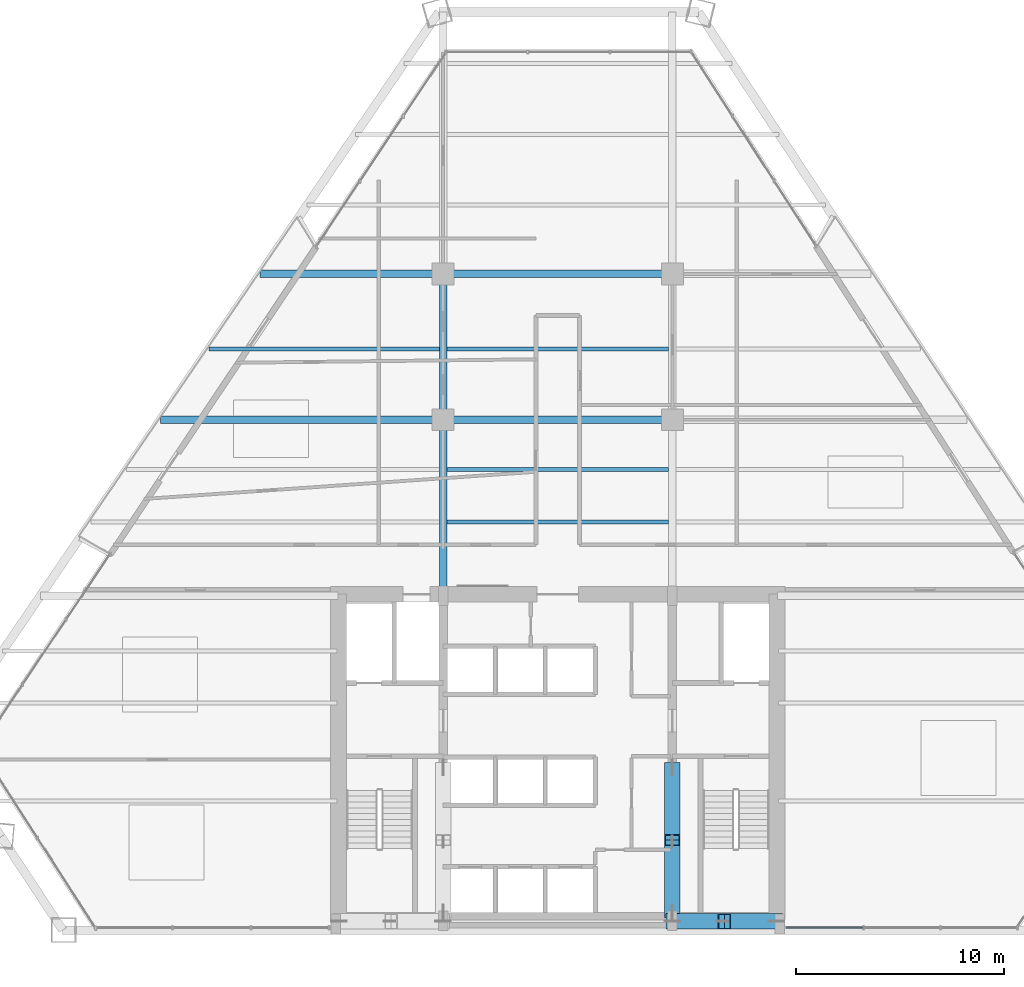
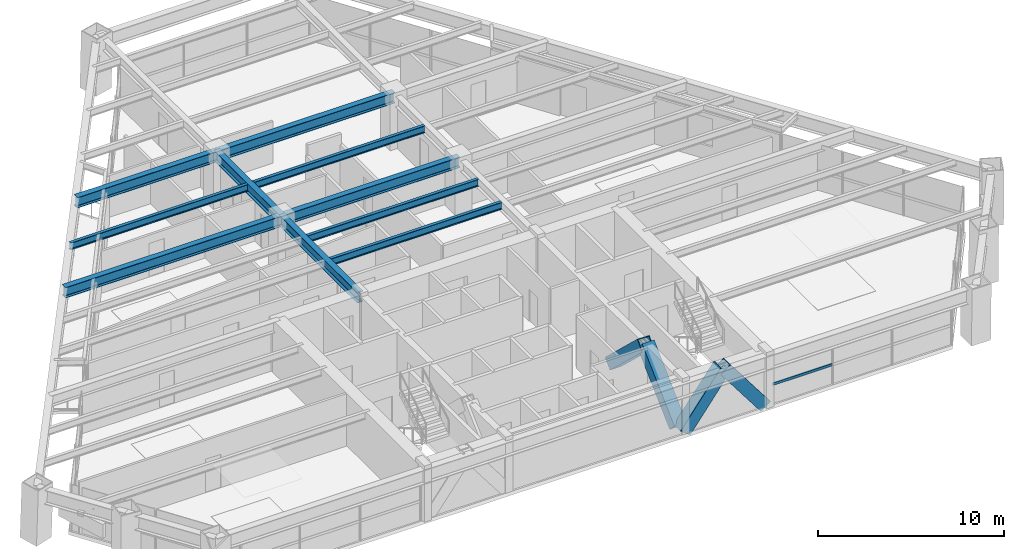
# One storey, part 5 of 14: 10 beams, 5 members, 1 element without a shape of its own.
"""IFC4 building model written with IfcOpenShell, lengths in metres."""

from ifc_helpers import new_model, si_unit, direction, frame, origin, origin_2d, place, context, subcontext, project, spatial, rectangle, hollow_rectangle, i_section, extrude, source, transform, mapped, material, material_profile, profile_set, type_object, type_shapes, element, aggregate, save


model = new_model("IFC4")

# Units and contexts
model_context = context("Model", 3, precision=1e-05, world=origin(), true_north=direction((0.0, 1.0)))
body_context = subcontext(model_context, "Body", "Model", "MODEL_VIEW")
ifc_project = project(units=[si_unit("LENGTHUNIT", "METRE"), si_unit("AREAUNIT", "SQUARE_METRE"), si_unit("VOLUMEUNIT", "CUBIC_METRE"), si_unit("PLANEANGLEUNIT", "RADIAN"), si_unit("MASSUNIT", "GRAM", prefix="KILO")], contexts=[model_context])

# Site, building, storey
site_placement = place(None, origin())
site = spatial("IfcSite", under=ifc_project, at=site_placement, CompositionType="ELEMENT")
building_placement = place(site_placement, origin())
building = spatial("IfcBuilding", under=site, at=building_placement, Name="Varnakhor Terracotta Tower", CompositionType="ELEMENT")
storey_placement = place(building_placement, frame((0.0, 0.0, 102.5)))
storey = spatial("IfcBuildingStorey", under=building, at=storey_placement, Name="L25", CompositionType="ELEMENT", Elevation=102.5)

# Beams
ifc_material_1 = material(Name="Steel S355", Category="steel")
ifc_material_profile_1 = material_profile(ifc_material_1, i_section(OverallWidth=0.35498046875, OverallDepth=0.695068359375, WebThickness=0.014892578125, FlangeThickness=0.02490234375, FilletRadius=0.01806640625, at=origin_2d()), Name="W27X146")
ifc_profile_set_1 = profile_set([ifc_material_profile_1], Name="Steel S355")
beam_type_1 = type_object("IfcBeamType", Name="BM-W27X146", PredefinedType="BEAM", material=ifc_profile_set_1)
shared_shape_1 = source(origin(), body_context, "Body", "SweptSolid", [
    extrude(i_section(OverallWidth=0.35498046875, OverallDepth=0.695068359375, WebThickness=0.014892578125, FlangeThickness=0.02490234375, FilletRadius=0.01806640625, at=origin_2d()), origin(), (0.0, 0.0, 1.0), 8.449951171875),
])
type_shapes(beam_type_1, [shared_shape_1])
beam_1_placement = place(storey_placement, frame((-5.5, 16.050048828125, 3.1025390625), z_axis=(0.0, 1.0, 0.0), x_axis=(-1.0, 0.0, 0.0)))
element("IfcBeam", 1, at=beam_1_placement, inside=storey, type_object=beam_type_1, Name="L25 Primary Girder NS1-W", PredefinedType="BEAM", context=body_context, shape_type="MappedRepresentation", body=[
    mapped(shared_shape_1, transform((0.0, 0.0, 0.0), scale=1.0)),
])
shared_shape_2 = source(origin(), body_context, "Body", "SweptSolid", [
    extrude(i_section(OverallWidth=0.35498046875, OverallDepth=0.695068359375, WebThickness=0.014892578125, FlangeThickness=0.02490234375, FilletRadius=0.01806640625, at=origin_2d()), origin(), (0.0, 0.0, 1.0), 7.0),
])
beam_2_placement = place(storey_placement, frame((-5.5, 24.5, 3.1025390625), z_axis=(0.0, 1.0, 0.0), x_axis=(-1.0, 0.0, 0.0)))
element("IfcBeam", 2, at=beam_2_placement, inside=storey, type_object=beam_type_1, Name="L25 Primary Girder NS2-W", PredefinedType="BEAM", context=body_context, shape_type="MappedRepresentation", body=[
    mapped(shared_shape_2, transform((0.0, 0.0, 0.0), scale=1.0)),
])
shared_shape_3 = source(origin(), body_context, "Body", "SweptSolid", [
    extrude(i_section(OverallWidth=0.35498046875, OverallDepth=0.695068359375, WebThickness=0.014892578125, FlangeThickness=0.02490234375, FilletRadius=0.01806640625, at=origin_2d()), origin(), (0.0, 0.0, 1.0), 11.0),
])
for number, where, z_axis, x_axis, name in (
    (3, (-5.5, 24.5, 3.1025390625), (1.0, 0.0, 0.0), (0.0, 1.0, 0.0), "L25 Primary Girder EW2-2"),
    (4, (-5.5, 31.5, 3.1025390625), (1.0, 0.0, 0.0), (0.0, 1.0, 0.0), "L25 Primary Girder EW3-2"),
):
    element("IfcBeam", number, at=place(storey_placement, frame(where, z_axis=z_axis, x_axis=x_axis)), inside=storey, type_object=beam_type_1, Name=name, PredefinedType="BEAM", context=body_context, shape_type="MappedRepresentation", body=[
        mapped(shared_shape_3, transform((0.0, 0.0, 0.0), scale=1.0)),
    ])
ifc_material_profile_2 = material_profile(ifc_material_1, i_section(OverallWidth=0.19189453125, OverallDepth=0.462890625, WebThickness=0.010498046875, FlangeThickness=0.017578125, FilletRadius=0.01806640625, at=origin_2d()), Name="W18X60")
ifc_profile_set_2 = profile_set([ifc_material_profile_2], Name="Steel S355")
beam_type_2 = type_object("IfcBeamType", Name="JST-W18X60", PredefinedType="JOIST", material=ifc_profile_set_2)
shared_shape_4 = source(origin(), body_context, "Body", "SweptSolid", [
    extrude(i_section(OverallWidth=0.19189453125, OverallDepth=0.462890625, WebThickness=0.010498046875, FlangeThickness=0.017578125, FilletRadius=0.01806640625, at=origin_2d()), origin(), (0.0, 0.0, 1.0), 10.65283203125),
])
for number, where, z_axis, x_axis, name in (
    (5, (-5.326416015625, 19.60009765625, 3.218505859375), (1.0, 0.0, 0.0), (0.0, 1.0, 0.0), "L25 Composite Floor Joist 4-2"),
    (6, (-5.326416015625, 22.10009765625, 3.218505859375), (1.0, 0.0, 0.0), (0.0, 1.0, 0.0), "L25 Composite Floor Joist 5-2"),
    (7, (-5.326416015625, 27.89990234375, 3.218505859375), (1.0, 0.0, 0.0), (0.0, 1.0, 0.0), "L25 Composite Floor Joist 6-2"),
):
    element("IfcBeam", number, at=place(storey_placement, frame(where, z_axis=z_axis, x_axis=x_axis)), inside=storey, type_object=beam_type_2, Name=name, PredefinedType="JOIST", context=body_context, shape_type="MappedRepresentation", body=[
        mapped(shared_shape_4, transform((0.0, 0.0, 0.0), scale=1.0)),
    ])

# Members
ifc_material_2 = material(Name="Steel S460", Category="steel")
ifc_material_profile_3 = material_profile(ifc_material_2, hollow_rectangle(XDim=0.75, YDim=0.75, WallThickness=0.044921875, at=origin_2d()), Name="HSS750X750X45")
ifc_profile_set_3 = profile_set([ifc_material_profile_3], Name="Steel S460")
member_type_1 = type_object("IfcMemberType", Name="MBR-MEGA-750", PredefinedType="BRACE", material=ifc_profile_set_3)
shared_shape_5 = source(origin(), body_context, "Body", "SweptSolid", [
    extrude(hollow_rectangle(XDim=0.75, YDim=0.75, WallThickness=0.044921875, at=origin_2d()), origin(), (0.0, 0.0, 1.0), 4.14013671875),
])
type_shapes(member_type_1, [shared_shape_5])
for number, where, z_axis, x_axis, name in (
    (8, (5.5, 0.419921875, 0.0), (0.603852011179, 0.0, 0.797096448741), (0.0, 1.0, 0.0), "L25 Core Coupled Brace CSEA"),
    (9, (10.5, 0.419921875, 0.0), (-0.603852011179, 0.0, 0.797096448741), (0.0, -1.0, 0.0), "L25 Core Coupled Brace CSEB"),
):
    element("IfcMember", number, at=place(storey_placement, frame(where, z_axis=z_axis, x_axis=x_axis)), inside=storey, type_object=member_type_1, Name=name, PredefinedType="BRACE", context=body_context, shape_type="MappedRepresentation", body=[
        mapped(shared_shape_5, transform((0.0, 0.0, 0.0), scale=1.0)),
    ])
shared_shape_6 = source(origin(), body_context, "Body", "SweptSolid", [
    extrude(hollow_rectangle(XDim=0.75, YDim=0.75, WallThickness=0.044921875, at=origin_2d()), origin(), (0.0, 0.0, 1.0), 4.792236328125),
])
for number, where, z_axis, x_axis, name in (
    (10, (5.5, 0.85009765625, 0.0), (0.0, 0.725110085518, 0.688632967466), (-1.0, 0.0, 0.0), "L25 Core Coupled Brace CWEA"),
    (11, (5.5, 7.800048828125, 0.0), (0.0, -0.72513424341, 0.688607529028), (1.0, 0.0, 0.0), "L25 Core Coupled Brace CWEB"),
):
    element("IfcMember", number, at=place(storey_placement, frame(where, z_axis=z_axis, x_axis=x_axis)), inside=storey, type_object=member_type_1, Name=name, PredefinedType="BRACE", context=body_context, shape_type="MappedRepresentation", body=[
        mapped(shared_shape_6, transform((0.0, 0.0, 0.0), scale=1.0)),
    ])

# Beams
shared_shape_7 = source(origin(), body_context, "Body", "SweptSolid", [
    extrude(i_section(OverallWidth=0.35498046875, OverallDepth=0.695068359375, WebThickness=0.014892578125, FlangeThickness=0.02490234375, FilletRadius=0.01806640625, at=origin_2d()), origin(), (0.0, 0.0, 1.0), 13.563720703125),
])
beam_3_placement = place(storey_placement, frame((-19.063720703125, 24.5, 3.1025390625), z_axis=(1.0, 0.0, 0.0), x_axis=(0.0, 1.0, 0.0)))
element("IfcBeam", 12, at=beam_3_placement, inside=storey, type_object=beam_type_1, Name="L25 Primary Girder EW2-1", PredefinedType="BEAM", context=body_context, shape_type="MappedRepresentation", body=[
    mapped(shared_shape_7, transform((0.0, 0.0, 0.0), scale=1.0)),
])
shared_shape_8 = source(origin(), body_context, "Body", "SweptSolid", [
    extrude(i_section(OverallWidth=0.35498046875, OverallDepth=0.695068359375, WebThickness=0.014892578125, FlangeThickness=0.02490234375, FilletRadius=0.01806640625, at=origin_2d()), origin(), (0.0, 0.0, 1.0), 8.784912109375),
])
beam_4_placement = place(storey_placement, frame((-14.284912109375, 31.5, 3.1025390625), z_axis=(1.0, 0.0, 0.0), x_axis=(0.0, 1.0, 0.0)))
element("IfcBeam", 13, at=beam_4_placement, inside=storey, type_object=beam_type_1, Name="L25 Primary Girder EW3-1", PredefinedType="BEAM", context=body_context, shape_type="MappedRepresentation", body=[
    mapped(shared_shape_8, transform((0.0, 0.0, 0.0), scale=1.0)),
])
shared_shape_9 = source(origin(), body_context, "Body", "SweptSolid", [
    extrude(i_section(OverallWidth=0.19189453125, OverallDepth=0.462890625, WebThickness=0.010498046875, FlangeThickness=0.017578125, FilletRadius=0.01806640625, at=origin_2d()), origin(), (0.0, 0.0, 1.0), 11.069091796875),
])
beam_5_placement = place(storey_placement, frame((-16.74267578125, 27.89990234375, 3.218505859375), z_axis=(1.0, 0.0, 0.0), x_axis=(0.0, 1.0, 0.0)))
element("IfcBeam", 14, at=beam_5_placement, inside=storey, type_object=beam_type_2, Name="L25 Composite Floor Joist 6-1", PredefinedType="JOIST", context=body_context, shape_type="MappedRepresentation", body=[
    mapped(shared_shape_9, transform((0.0, 0.0, 0.0), scale=1.0)),
])

# Curtain wall, member
ifc_material_3 = material(Name="Anodised Aluminium Curtain Wall System", Category="aluminium")
curtain_wall_type = type_object("IfcCurtainWallType", Name="CW-SYS-LOW-OFFICE", PredefinedType="NOTDEFINED", material=ifc_material_3)
curtain_wall_placement = place(storey_placement, origin())
curtain_wall = element("IfcCurtainWall", 15, at=curtain_wall_placement, inside=storey, type_object=curtain_wall_type, Name="L25 South Wing Curtain Wall SSE", PredefinedType="NOTDEFINED")
ifc_material_4 = material(Name="Anodised Aluminium 6063-T6", Category="aluminium")
ifc_material_profile_4 = material_profile(ifc_material_4, rectangle(XDim=0.074951171875, YDim=0.1650390625, at=origin_2d()), Name="ALU TRANSOM 75x165")
ifc_profile_set_4 = profile_set([ifc_material_profile_4], Name="Anodised Aluminium 6063-T6")
member_type_2 = type_object("IfcMemberType", Name="CWT-02", PredefinedType="USERDEFINED", material=ifc_profile_set_4)
shared_shape_10 = source(origin(), body_context, "Body", "SweptSolid", [
    extrude(rectangle(XDim=0.074951171875, YDim=0.1650390625, at=origin_2d()), origin(), (0.0, 0.0, 1.0), 3.70166015625),
])
member_placement = place(storey_placement, frame((14.671630859375, 0.1201171875, 1.272705078125), z_axis=(-1.0, 0.0, 0.0), x_axis=(0.0, -1.0, 0.0)))
member = element("IfcMember", 16, at=member_placement, type_object=member_type_2, Name="L25 South Wing Curtain Wall SSE Transom 3", ObjectType="TRANSOM", PredefinedType="USERDEFINED", context=body_context, shape_type="MappedRepresentation", body=[
    mapped(shared_shape_10, transform((0.0, 0.0, 0.0), scale=1.0)),
])
aggregate(curtain_wall, [member])

save(model, "model.ifc")
